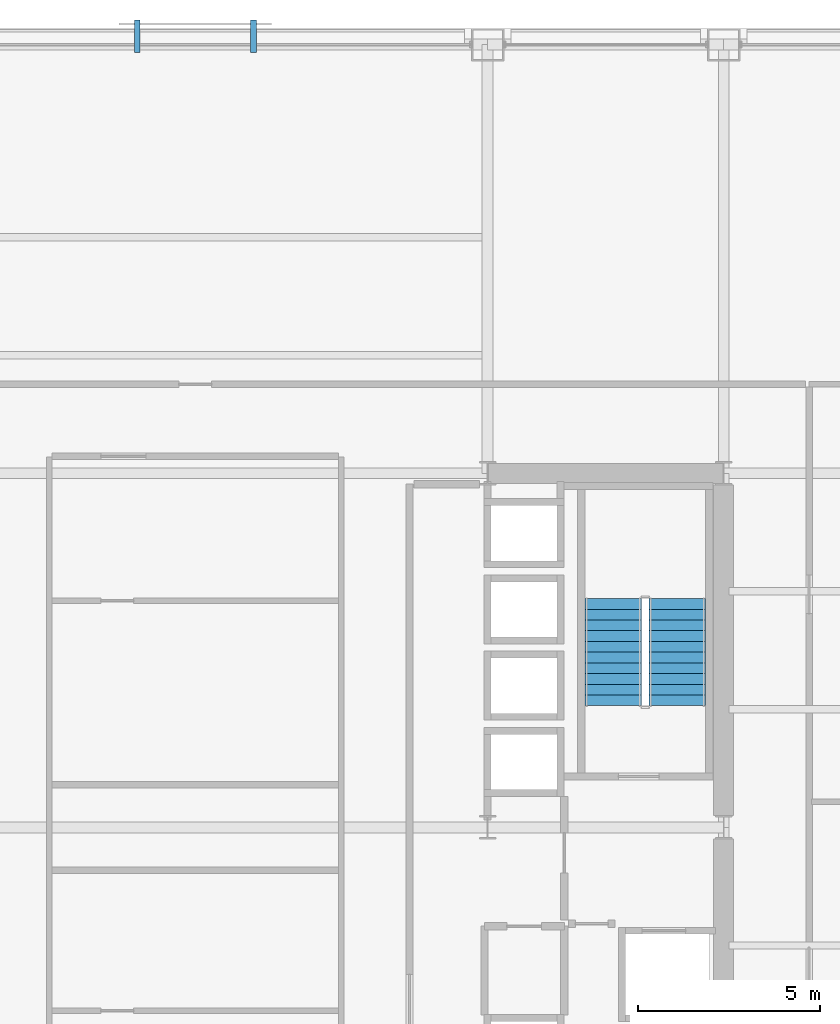
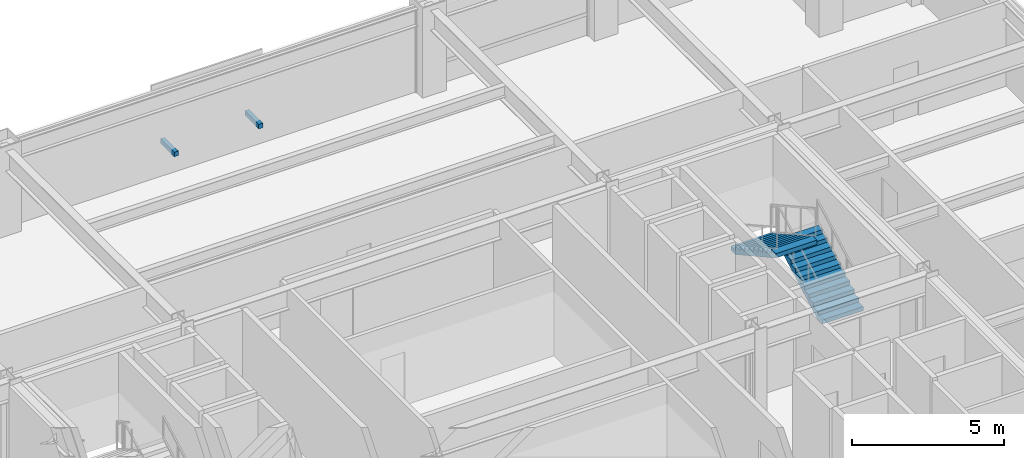
# One storey, part 26 of 29: 2 discrete accessories, 2 stair flights, 1 element without a shape of its own.
"""IFC4 building model written with IfcOpenShell, lengths in metres."""

from ifc_helpers import new_model, si_unit, direction, frame, origin, origin_2d, place, context, subcontext, project, spatial, polyline, rectangle, outline, extrude, material, type_object, element, aggregate, save


model = new_model("IFC4")

# Units and contexts
model_context = context("Model", 3, precision=1e-05, world=origin(), true_north=direction((0.0, 1.0)))
body_context = subcontext(model_context, "Body", "Model", "MODEL_VIEW")
ifc_project = project(units=[si_unit("LENGTHUNIT", "METRE"), si_unit("AREAUNIT", "SQUARE_METRE"), si_unit("VOLUMEUNIT", "CUBIC_METRE"), si_unit("PLANEANGLEUNIT", "RADIAN"), si_unit("MASSUNIT", "GRAM", prefix="KILO")], contexts=[model_context])

# Site, building, storey
site_placement = place(None, origin())
site = spatial("IfcSite", under=ifc_project, at=site_placement, CompositionType="ELEMENT")
building_placement = place(site_placement, origin())
building = spatial("IfcBuilding", under=site, at=building_placement, Name="Brelmoor Portico Tower", CompositionType="ELEMENT")
storey_placement = place(building_placement, frame((0.0, 0.0, 63.60009765625)))
storey = spatial("IfcBuildingStorey", under=building, at=storey_placement, Name="L16", CompositionType="ELEMENT", Elevation=63.60009765625)

# Stair, stair flights
ifc_material_1 = material(Name="Concrete C40", Category="concrete")
stair_type = type_object("IfcStairType", Name="ST-CORE-E", PredefinedType="HALF_TURN_STAIR", material=ifc_material_1)
stair_placement = place(storey_placement, origin())
stair = element("IfcStair", 1, at=stair_placement, inside=storey, type_object=stair_type, Name="L16 Protected Core Exit Stair ST-E", PredefinedType="HALF_TURN_STAIR")
stair_flight_type = type_object("IfcStairFlightType", Name="SF-CORE-1850", PredefinedType="STRAIGHT", material=ifc_material_1)
stair_flight_1_placement = place(storey_placement, frame((13.27001953125, 3.35009765625, 0.0), z_axis=(0.0, 0.0, 1.0), x_axis=(0.0, 1.0, 0.0)))
stair_flight_1 = element("IfcStairFlight", 2, at=stair_flight_1_placement, type_object=stair_flight_type, Name="ST-E flight 1", NumberOfRisers=11, NumberOfTreads=10, PredefinedType="STRAIGHT", RiserHeight=0.163636364, TreadLength=0.295, context=body_context, shape_type="SweptSolid", body=[
    extrude(outline(polyline([(0.0, 0.0), (0.0, 0.16357421875), (0.294921875, 0.16357421875), (0.294921875, 0.327392578125), (0.590087890625, 0.327392578125), (0.590087890625, 0.490966796875), (0.885009765625, 0.490966796875), (0.885009765625, 0.654541015625), (1.179931640625, 0.654541015625), (1.179931640625, 0.818115234375), (1.47509765625, 0.818115234375), (1.47509765625, 0.98193359375), (1.77001953125, 0.98193359375), (1.77001953125, 1.1455078125), (2.06494140625, 1.1455078125), (2.06494140625, 1.30908203125), (2.360107421875, 1.30908203125), (2.360107421875, 1.47265625), (2.655029296875, 1.47265625), (2.655029296875, 1.636474609375), (2.949951171875, 1.636474609375), (2.949951171875, 1.800048828125), (2.949951171875, 1.46484375), (0.30908203125, 0.0), (0.0, 0.0)])), frame((0.0, 0.780029296875, 0.0), z_axis=(0.0, -1.0, 0.0), x_axis=(1.0, 0.0, 0.0)), (0.0, 0.0, 1.0), 1.56005859375),
])
stair_flight_2_placement = place(storey_placement, frame((11.510009765625, 6.300048828125, 1.7998046875), z_axis=(0.0, 0.0, 1.0), x_axis=(0.0, -1.0, 0.0)))
stair_flight_2 = element("IfcStairFlight", 3, at=stair_flight_2_placement, type_object=stair_flight_type, Name="ST-E flight 2", NumberOfRisers=11, NumberOfTreads=10, PredefinedType="STRAIGHT", RiserHeight=0.163636364, TreadLength=0.295, context=body_context, shape_type="SweptSolid", body=[
    extrude(outline(polyline([(0.0, 0.0), (0.0, 0.16357421875), (0.294921875, 0.16357421875), (0.294921875, 0.327392578125), (0.590087890625, 0.327392578125), (0.590087890625, 0.490966796875), (0.885009765625, 0.490966796875), (0.885009765625, 0.654541015625), (1.179931640625, 0.654541015625), (1.179931640625, 0.818115234375), (1.47509765625, 0.818115234375), (1.47509765625, 0.98193359375), (1.77001953125, 0.98193359375), (1.77001953125, 1.1455078125), (2.06494140625, 1.1455078125), (2.06494140625, 1.30908203125), (2.360107421875, 1.30908203125), (2.360107421875, 1.47265625), (2.655029296875, 1.47265625), (2.655029296875, 1.636474609375), (2.949951171875, 1.636474609375), (2.949951171875, 1.800048828125), (2.949951171875, 1.46484375), (0.30908203125, 0.0), (0.0, 0.0)])), frame((0.0, 0.780029296875, 0.0), z_axis=(0.0, -1.0, 0.0), x_axis=(1.0, 0.0, 0.0)), (0.0, 0.0, 1.0), 1.56005859375),
])
aggregate(stair, [stair_flight_1, stair_flight_2])

# Discrete accessories
ifc_material_2 = material(Name="Galvanised Steel Q355B", Category="steel")
discrete_accessory_type = type_object("IfcDiscreteAccessoryType", Name="DA-SCREEN-BRACKET", PredefinedType="BRACKET", material=ifc_material_2)
for number, where, z_axis, x_axis, name in (
    (4, (-1.60009765625, 21.780029296875, 0.759765625), (0.0, 0.0, 1.0), (1.0, 0.0, 0.0), "L16 Solar Screen Bracket N1A"),
    (5, (1.60009765625, 21.780029296875, 0.759765625), (0.0, 0.0, 1.0), (1.0, 0.0, 0.0), "L16 Solar Screen Bracket N1B"),
):
    element("IfcDiscreteAccessory", number, at=place(storey_placement, frame(where, z_axis=z_axis, x_axis=x_axis)), inside=storey, type_object=discrete_accessory_type, Name=name, PredefinedType="BRACKET", context=body_context, shape_type="SweptSolid", body=[
        extrude(rectangle(XDim=0.159912109375, YDim=0.89990234375, at=origin_2d()), origin(), (0.0, 0.0, 1.0), 0.179931640625),
    ])

save(model, "model.ifc")
